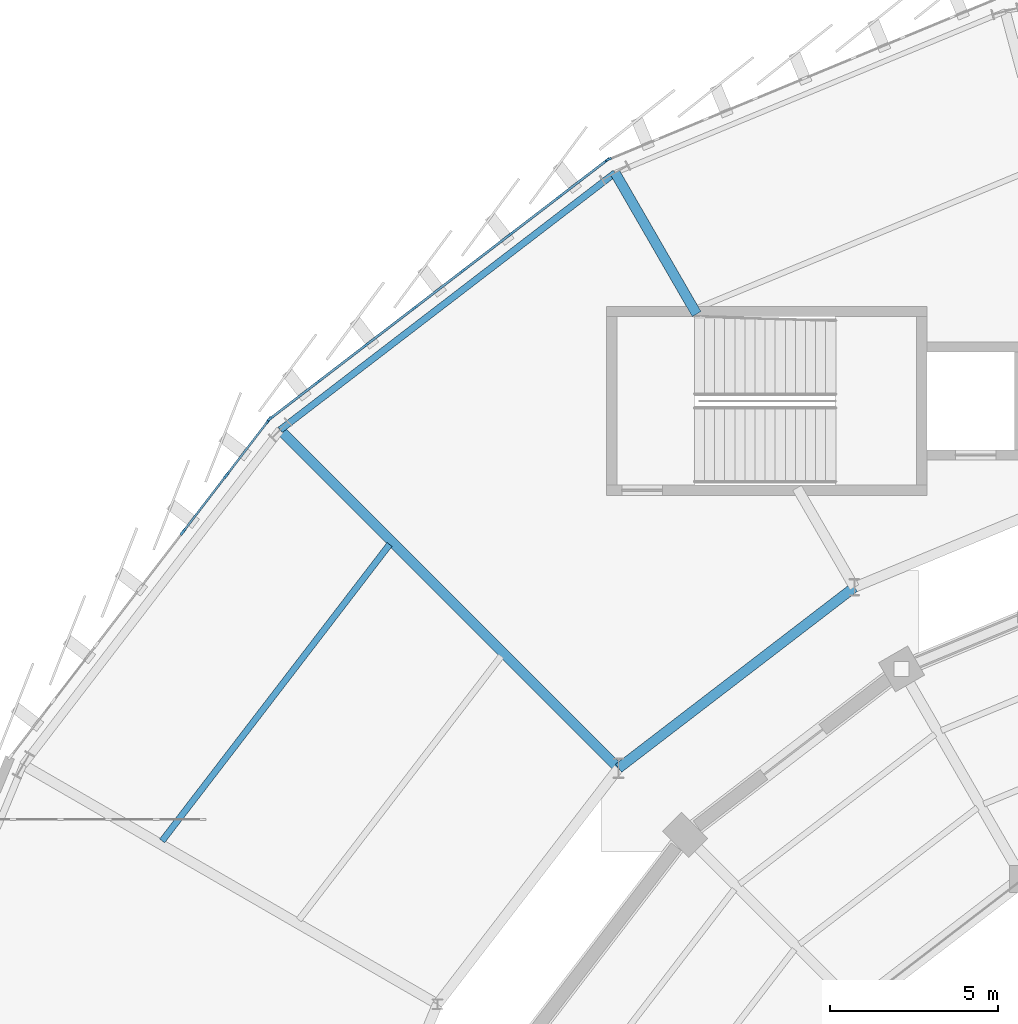
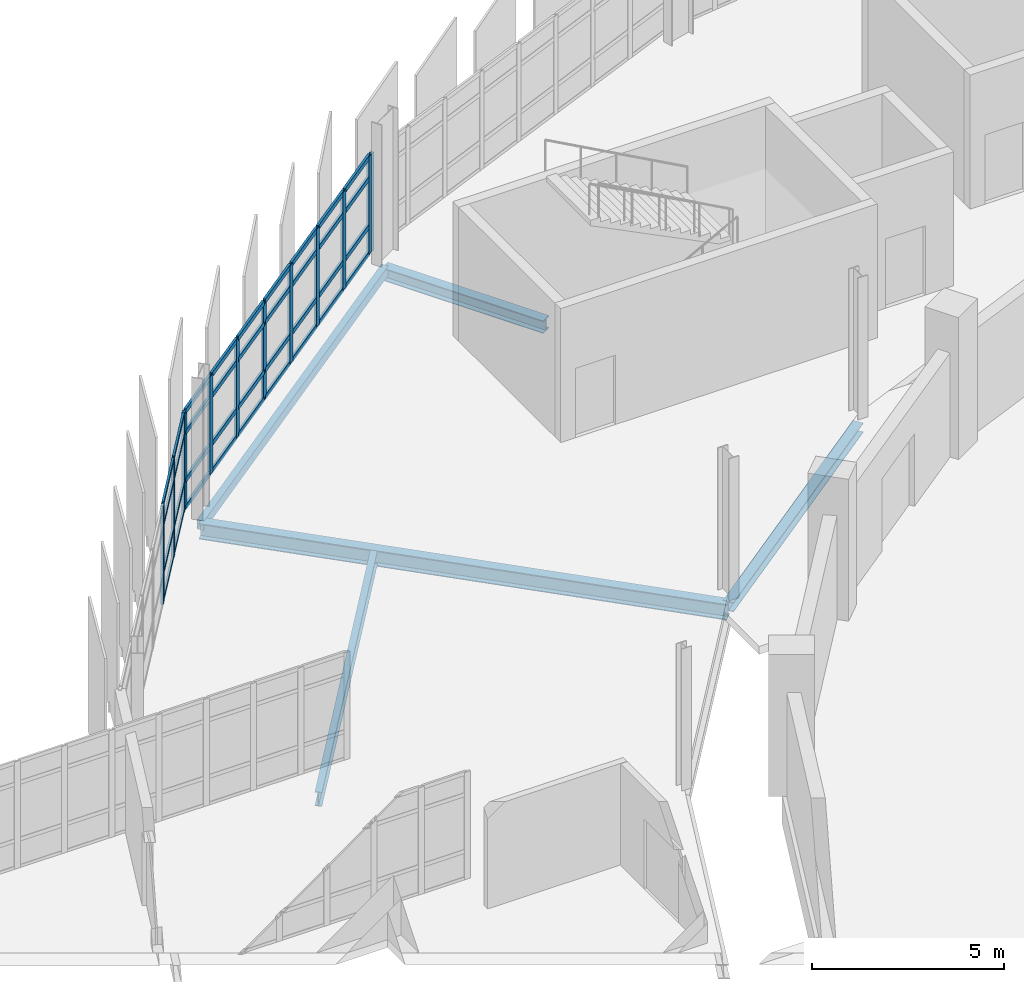
# One storey, part 54 of 125: 48 members, 5 beams, 3 elements without a shape of their own.
"""IFC4 building model written with IfcOpenShell, lengths in metres."""

from ifc_helpers import new_model, si_unit, direction, frame, origin, origin_2d, place, context, subcontext, project, spatial, rectangle, hollow_rectangle, i_section, extrude, material, layer, layer_set, material_profile, profile_set, type_object, element, aggregate, save


model = new_model("IFC4")

# Units and contexts
model_context = context("Model", 3, precision=1e-05, world=origin(), true_north=direction((0.0, 1.0)))
body_context = subcontext(model_context, "Body", "Model", "MODEL_VIEW")
ifc_project = project(units=[si_unit("LENGTHUNIT", "METRE"), si_unit("AREAUNIT", "SQUARE_METRE"), si_unit("VOLUMEUNIT", "CUBIC_METRE"), si_unit("PLANEANGLEUNIT", "RADIAN"), si_unit("MASSUNIT", "GRAM", prefix="KILO")], contexts=[model_context])

# Site, building, storey
site_placement = place(None, origin())
site = spatial("IfcSite", under=ifc_project, at=site_placement, CompositionType="ELEMENT")
building_placement = place(site_placement, origin())
building = spatial("IfcBuilding", under=site, at=building_placement, Name="Sohan Crest Arena", CompositionType="ELEMENT")
storey_placement = place(building_placement, frame((0.0, 0.0, 9.0)))
storey = spatial("IfcBuildingStorey", under=building, at=storey_placement, Name="L02", CompositionType="ELEMENT", Elevation=9.0)

# Curtain wall, member
ifc_material_1 = material(Name="Thermally broken anodised aluminium", Category="aluminium")
ifc_layer_1 = layer(ifc_material_1, 0.199951171875, Name="Thermally broken anodised aluminium")
ifc_layer_set_1 = layer_set([ifc_layer_1], Name="Thermally broken anodised aluminium")
curtain_wall_type_1 = type_object("IfcCurtainWallType", Name="ARC-CW02", PredefinedType="NOTDEFINED", material=ifc_layer_set_1)
curtain_wall_1_placement = place(storey_placement, origin())
curtain_wall_1 = element("IfcCurtainWall", 1, at=curtain_wall_1_placement, inside=storey, type_object=curtain_wall_type_1, Name="Unitised curtain wall CW-051", PredefinedType="NOTDEFINED")
ifc_material_profile_1 = material_profile(ifc_material_1, rectangle(XDim=0.06494140625, YDim=0.179931640625, at=origin_2d()), Name="ALU-MULL 65x180")
ifc_profile_set_1 = profile_set([ifc_material_profile_1], Name="Thermally broken anodised aluminium")
member_type_1 = type_object("IfcMemberType", Name="ARC-CW-ML02", PredefinedType="MULLION", material=ifc_profile_set_1)
member_1_placement = place(storey_placement, frame((73.804931640625, 119.971435546875, 0.0), z_axis=(0.0, 0.0, 1.0), x_axis=(0.382677663845, -0.92388192189, 0.0)))
member_1 = element("IfcMember", 2, at=member_1_placement, type_object=member_type_1, Name="CW-051 mullion 9", PredefinedType="MULLION", context=body_context, shape_type="SweptSolid", body=[
    extrude(rectangle(XDim=0.06494140625, YDim=0.179931640625, at=origin_2d()), origin(), (0.0, 0.0, 1.0), 3.1201171875),
])
aggregate(curtain_wall_1, [member_1])

# Curtain wall, members
ifc_layer_2 = layer(ifc_material_1, 0.219970703125, Name="Thermally broken anodised aluminium")
ifc_layer_set_2 = layer_set([ifc_layer_2], Name="Thermally broken anodised aluminium")
curtain_wall_type_2 = type_object("IfcCurtainWallType", Name="ARC-CW03", PredefinedType="NOTDEFINED", material=ifc_layer_set_2)
curtain_wall_2_placement = place(storey_placement, origin())
curtain_wall_2 = element("IfcCurtainWall", 3, at=curtain_wall_2_placement, inside=storey, type_object=curtain_wall_type_2, Name="Unitised curtain wall CW-052", PredefinedType="NOTDEFINED")
ifc_material_profile_2 = material_profile(ifc_material_1, rectangle(XDim=0.070068359375, YDim=0.199951171875, at=origin_2d()), Name="ALU-MULL 70x200")
ifc_profile_set_2 = profile_set([ifc_material_profile_2], Name="Thermally broken anodised aluminium")
member_type_2 = type_object("IfcMemberType", Name="ARC-CW-ML03", PredefinedType="MULLION", material=ifc_profile_set_2)
member_2_placement = place(storey_placement, frame((73.747314453125, 119.937744140625, 0.0), z_axis=(0.0, 0.0, 1.0), x_axis=(0.60879332716, -0.79332886296, 0.0)))
member_2 = element("IfcMember", 4, at=member_2_placement, type_object=member_type_2, Name="CW-052 mullion 1", PredefinedType="MULLION", context=body_context, shape_type="SweptSolid", body=[
    extrude(rectangle(XDim=0.070068359375, YDim=0.199951171875, at=origin_2d()), origin(), (0.0, 0.0, 1.0), 3.1201171875),
])
member_3_placement = place(storey_placement, frame((72.341552734375, 118.85888671875, 0.0), z_axis=(0.0, 0.0, 1.0), x_axis=(0.60879332716, -0.79332886296, 0.0)))
member_3 = element("IfcMember", 5, at=member_3_placement, type_object=member_type_2, Name="CW-052 mullion 2", PredefinedType="MULLION", context=body_context, shape_type="SweptSolid", body=[
    extrude(rectangle(XDim=0.070068359375, YDim=0.199951171875, at=origin_2d()), origin(), (0.0, 0.0, 1.0), 3.1201171875),
])
member_4_placement = place(storey_placement, frame((70.908203125, 117.759033203125, 0.0), z_axis=(0.0, 0.0, 1.0), x_axis=(0.60879332716, -0.79332886296, 0.0)))
member_4 = element("IfcMember", 6, at=member_4_placement, type_object=member_type_2, Name="CW-052 mullion 3", PredefinedType="MULLION", context=body_context, shape_type="SweptSolid", body=[
    extrude(rectangle(XDim=0.070068359375, YDim=0.199951171875, at=origin_2d()), origin(), (0.0, 0.0, 1.0), 3.1201171875),
])
member_5_placement = place(storey_placement, frame((69.474609375, 116.658935546875, 0.0), z_axis=(0.0, 0.0, 1.0), x_axis=(0.60879332716, -0.79332886296, 0.0)))
member_5 = element("IfcMember", 7, at=member_5_placement, type_object=member_type_2, Name="CW-052 mullion 4", PredefinedType="MULLION", context=body_context, shape_type="SweptSolid", body=[
    extrude(rectangle(XDim=0.070068359375, YDim=0.199951171875, at=origin_2d()), origin(), (0.0, 0.0, 1.0), 3.1201171875),
])
member_6_placement = place(storey_placement, frame((68.041259765625, 115.55908203125, 0.0), z_axis=(0.0, 0.0, 1.0), x_axis=(0.60879332716, -0.79332886296, 0.0)))
member_6 = element("IfcMember", 8, at=member_6_placement, type_object=member_type_2, Name="CW-052 mullion 5", PredefinedType="MULLION", context=body_context, shape_type="SweptSolid", body=[
    extrude(rectangle(XDim=0.070068359375, YDim=0.199951171875, at=origin_2d()), origin(), (0.0, 0.0, 1.0), 3.1201171875),
])
member_7_placement = place(storey_placement, frame((66.60791015625, 114.458984375, 0.0), z_axis=(0.0, 0.0, 1.0), x_axis=(0.60879332716, -0.79332886296, 0.0)))
member_7 = element("IfcMember", 9, at=member_7_placement, type_object=member_type_2, Name="CW-052 mullion 6", PredefinedType="MULLION", context=body_context, shape_type="SweptSolid", body=[
    extrude(rectangle(XDim=0.070068359375, YDim=0.199951171875, at=origin_2d()), origin(), (0.0, 0.0, 1.0), 3.1201171875),
])
member_8_placement = place(storey_placement, frame((65.17431640625, 113.35888671875, 0.0), z_axis=(0.0, 0.0, 1.0), x_axis=(0.60879332716, -0.79332886296, 0.0)))
member_8 = element("IfcMember", 10, at=member_8_placement, type_object=member_type_2, Name="CW-052 mullion 7", PredefinedType="MULLION", context=body_context, shape_type="SweptSolid", body=[
    extrude(rectangle(XDim=0.070068359375, YDim=0.199951171875, at=origin_2d()), origin(), (0.0, 0.0, 1.0), 3.1201171875),
])
member_9_placement = place(storey_placement, frame((63.768798828125, 112.2802734375, 0.0), z_axis=(0.0, 0.0, 1.0), x_axis=(0.60879332716, -0.79332886296, 0.0)))
member_9 = element("IfcMember", 11, at=member_9_placement, type_object=member_type_2, Name="CW-052 mullion 8", PredefinedType="MULLION", context=body_context, shape_type="SweptSolid", body=[
    extrude(rectangle(XDim=0.070068359375, YDim=0.199951171875, at=origin_2d()), origin(), (0.0, 0.0, 1.0), 3.1201171875),
])

ifc_layer_3 = layer(ifc_material_1, 0.239990234375, Name="Thermally broken anodised aluminium")
ifc_layer_set_3 = layer_set([ifc_layer_3], Name="Thermally broken anodised aluminium")
curtain_wall_type_3 = type_object("IfcCurtainWallType", Name="ARC-CW04", PredefinedType="NOTDEFINED", material=ifc_layer_set_3)
curtain_wall_3_placement = place(storey_placement, origin())
curtain_wall_3 = element("IfcCurtainWall", 12, at=curtain_wall_3_placement, inside=storey, type_object=curtain_wall_type_3, Name="Unitised curtain wall CW-053", PredefinedType="NOTDEFINED")
ifc_material_profile_3 = material_profile(ifc_material_1, rectangle(XDim=0.074951171875, YDim=0.219970703125, at=origin_2d()), Name="ALU-MULL 75x220")
ifc_profile_set_3 = profile_set([ifc_material_profile_3], Name="Thermally broken anodised aluminium")
member_type_3 = type_object("IfcMemberType", Name="ARC-CW-ML04", PredefinedType="MULLION", material=ifc_profile_set_3)
member_10_placement = place(storey_placement, frame((63.71826171875, 112.229248046875, 0.0), z_axis=(0.0, 0.0, 1.0), x_axis=(0.79332886296, -0.60879332716, 0.0)))
member_10 = element("IfcMember", 13, at=member_10_placement, type_object=member_type_3, Name="CW-053 mullion 1", PredefinedType="MULLION", context=body_context, shape_type="SweptSolid", body=[
    extrude(rectangle(XDim=0.074951171875, YDim=0.219970703125, at=origin_2d()), origin(), (0.0, 0.0, 1.0), 3.1201171875),
])
member_11_placement = place(storey_placement, frame((62.457763671875, 110.586669921875, 0.0), z_axis=(0.0, 0.0, 1.0), x_axis=(0.79332886296, -0.60879332716, 0.0)))
member_11 = element("IfcMember", 14, at=member_11_placement, type_object=member_type_3, Name="CW-053 mullion 2", PredefinedType="MULLION", context=body_context, shape_type="SweptSolid", body=[
    extrude(rectangle(XDim=0.074951171875, YDim=0.219970703125, at=origin_2d()), origin(), (0.0, 0.0, 1.0), 3.1201171875),
])
member_12_placement = place(storey_placement, frame((61.17431640625, 108.914306640625, 0.0), z_axis=(0.0, 0.0, 1.0), x_axis=(0.79332886296, -0.60879332716, 0.0)))
member_12 = element("IfcMember", 15, at=member_12_placement, type_object=member_type_3, Name="CW-053 mullion 3", PredefinedType="MULLION", context=body_context, shape_type="SweptSolid", body=[
    extrude(rectangle(XDim=0.074951171875, YDim=0.219970703125, at=origin_2d()), origin(), (0.0, 0.0, 1.0), 3.1201171875),
])
ifc_material_profile_4 = material_profile(ifc_material_1, rectangle(XDim=0.06005859375, YDim=0.1201171875, at=origin_2d()), Name="ALU-TRAN 60x120")
ifc_profile_set_4 = profile_set([ifc_material_profile_4], Name="Thermally broken anodised aluminium")
member_type_4 = type_object("IfcMemberType", Name="ARC-CW-TR01", PredefinedType="USERDEFINED", material=ifc_profile_set_4)
member_13_placement = place(storey_placement, frame((63.6953125, 112.199462890625, 0.030029296875), z_axis=(-0.608811622374, -0.793314823045, 0.0), x_axis=(0.793314823045, -0.608811622374, 0.0)))
member_13 = element("IfcMember", 16, at=member_13_placement, type_object=member_type_4, Name="CW-053 transom 1.1", ObjectType="TRANSOM", PredefinedType="USERDEFINED", context=body_context, shape_type="SweptSolid", body=[
    extrude(rectangle(XDim=0.06005859375, YDim=0.1201171875, at=origin_2d()), origin(), (0.0, 0.0, 1.0), 1.995361328125),
])
member_14_placement = place(storey_placement, frame((63.6953125, 112.199462890625, 0.89990234375), z_axis=(-0.608811622374, -0.793314823045, 0.0), x_axis=(0.793314823045, -0.608811622374, 0.0)))
member_14 = element("IfcMember", 17, at=member_14_placement, type_object=member_type_4, Name="CW-053 transom 1.2", ObjectType="TRANSOM", PredefinedType="USERDEFINED", context=body_context, shape_type="SweptSolid", body=[
    extrude(rectangle(XDim=0.06005859375, YDim=0.1201171875, at=origin_2d()), origin(), (0.0, 0.0, 1.0), 1.995361328125),
])
member_15_placement = place(storey_placement, frame((63.6953125, 112.199462890625, 2.419921875), z_axis=(-0.608811622374, -0.793314823045, 0.0), x_axis=(0.793314823045, -0.608811622374, 0.0)))
member_15 = element("IfcMember", 18, at=member_15_placement, type_object=member_type_4, Name="CW-053 transom 1.3", ObjectType="TRANSOM", PredefinedType="USERDEFINED", context=body_context, shape_type="SweptSolid", body=[
    extrude(rectangle(XDim=0.06005859375, YDim=0.1201171875, at=origin_2d()), origin(), (0.0, 0.0, 1.0), 1.995361328125),
])
member_16_placement = place(storey_placement, frame((63.6953125, 112.199462890625, 3.090087890625), z_axis=(-0.608811622374, -0.793314823045, 0.0), x_axis=(0.793314823045, -0.608811622374, 0.0)))
member_16 = element("IfcMember", 19, at=member_16_placement, type_object=member_type_4, Name="CW-053 transom 1.4", ObjectType="TRANSOM", PredefinedType="USERDEFINED", context=body_context, shape_type="SweptSolid", body=[
    extrude(rectangle(XDim=0.06005859375, YDim=0.1201171875, at=origin_2d()), origin(), (0.0, 0.0, 1.0), 1.995361328125),
])
member_17_placement = place(storey_placement, frame((62.434814453125, 110.556884765625, 0.030029296875), z_axis=(-0.608764295154, -0.793351141012, 0.0), x_axis=(0.793351141012, -0.608764295154, 0.0)))
member_17 = element("IfcMember", 20, at=member_17_placement, type_object=member_type_4, Name="CW-053 transom 2.1", ObjectType="TRANSOM", PredefinedType="USERDEFINED", context=body_context, shape_type="SweptSolid", body=[
    extrude(rectangle(XDim=0.06005859375, YDim=0.1201171875, at=origin_2d()), origin(), (0.0, 0.0, 1.0), 2.032958984375),
])
member_18_placement = place(storey_placement, frame((62.434814453125, 110.556884765625, 0.89990234375), z_axis=(-0.608764295154, -0.793351141012, 0.0), x_axis=(0.793351141012, -0.608764295154, 0.0)))
member_18 = element("IfcMember", 21, at=member_18_placement, type_object=member_type_4, Name="CW-053 transom 2.2", ObjectType="TRANSOM", PredefinedType="USERDEFINED", context=body_context, shape_type="SweptSolid", body=[
    extrude(rectangle(XDim=0.06005859375, YDim=0.1201171875, at=origin_2d()), origin(), (0.0, 0.0, 1.0), 2.032958984375),
])
member_19_placement = place(storey_placement, frame((62.434814453125, 110.556884765625, 2.419921875), z_axis=(-0.608764295154, -0.793351141012, 0.0), x_axis=(0.793351141012, -0.608764295154, 0.0)))
member_19 = element("IfcMember", 22, at=member_19_placement, type_object=member_type_4, Name="CW-053 transom 2.3", ObjectType="TRANSOM", PredefinedType="USERDEFINED", context=body_context, shape_type="SweptSolid", body=[
    extrude(rectangle(XDim=0.06005859375, YDim=0.1201171875, at=origin_2d()), origin(), (0.0, 0.0, 1.0), 2.032958984375),
])
member_20_placement = place(storey_placement, frame((62.434814453125, 110.556884765625, 3.090087890625), z_axis=(-0.608764295154, -0.793351141012, 0.0), x_axis=(0.793351141012, -0.608764295154, 0.0)))
member_20 = element("IfcMember", 23, at=member_20_placement, type_object=member_type_4, Name="CW-053 transom 2.4", ObjectType="TRANSOM", PredefinedType="USERDEFINED", context=body_context, shape_type="SweptSolid", body=[
    extrude(rectangle(XDim=0.06005859375, YDim=0.1201171875, at=origin_2d()), origin(), (0.0, 0.0, 1.0), 2.032958984375),
])
aggregate(curtain_wall_3, [member_10, member_11, member_12, member_13, member_14, member_15, member_16, member_17, member_18, member_19, member_20])

# Member
ifc_material_profile_5 = material_profile(ifc_material_1, rectangle(XDim=0.070068359375, YDim=0.14990234375, at=origin_2d()), Name="ALU-TRAN 70x150")
ifc_profile_set_5 = profile_set([ifc_material_profile_5], Name="Thermally broken anodised aluminium")
member_type_5 = type_object("IfcMemberType", Name="ARC-CW-TR03", PredefinedType="USERDEFINED", material=ifc_profile_set_5)
member_21_placement = place(storey_placement, frame((73.719482421875, 119.91650390625, 0.034912109375), z_axis=(-0.793306103469, -0.60882298429, 0.0), x_axis=(0.60882298429, -0.793306103469, 0.0)))
member_21 = element("IfcMember", 24, at=member_21_placement, type_object=member_type_5, Name="CW-052 transom 1.1", ObjectType="TRANSOM", PredefinedType="USERDEFINED", context=body_context, shape_type="SweptSolid", body=[
    extrude(rectangle(XDim=0.070068359375, YDim=0.14990234375, at=origin_2d()), origin(), (0.0, 0.0, 1.0), 1.701904296875),
])

member_22_placement = place(storey_placement, frame((73.719482421875, 119.91650390625, 0.89990234375), z_axis=(-0.793306103469, -0.60882298429, 0.0), x_axis=(0.60882298429, -0.793306103469, 0.0)))
member_22 = element("IfcMember", 25, at=member_22_placement, type_object=member_type_5, Name="CW-052 transom 1.2", ObjectType="TRANSOM", PredefinedType="USERDEFINED", context=body_context, shape_type="SweptSolid", body=[
    extrude(rectangle(XDim=0.070068359375, YDim=0.14990234375, at=origin_2d()), origin(), (0.0, 0.0, 1.0), 1.701904296875),
])

member_23_placement = place(storey_placement, frame((73.719482421875, 119.91650390625, 2.419921875), z_axis=(-0.793306103469, -0.60882298429, 0.0), x_axis=(0.60882298429, -0.793306103469, 0.0)))
member_23 = element("IfcMember", 26, at=member_23_placement, type_object=member_type_5, Name="CW-052 transom 1.3", ObjectType="TRANSOM", PredefinedType="USERDEFINED", context=body_context, shape_type="SweptSolid", body=[
    extrude(rectangle(XDim=0.070068359375, YDim=0.14990234375, at=origin_2d()), origin(), (0.0, 0.0, 1.0), 1.701904296875),
])

member_24_placement = place(storey_placement, frame((73.719482421875, 119.91650390625, 3.0849609375), z_axis=(-0.793306103469, -0.60882298429, 0.0), x_axis=(0.60882298429, -0.793306103469, 0.0)))
member_24 = element("IfcMember", 27, at=member_24_placement, type_object=member_type_5, Name="CW-052 transom 1.4", ObjectType="TRANSOM", PredefinedType="USERDEFINED", context=body_context, shape_type="SweptSolid", body=[
    extrude(rectangle(XDim=0.070068359375, YDim=0.14990234375, at=origin_2d()), origin(), (0.0, 0.0, 1.0), 1.701904296875),
])

member_25_placement = place(storey_placement, frame((72.313720703125, 118.837646484375, 0.034912109375), z_axis=(-0.793339322811, -0.608779696509, 0.0), x_axis=(0.608779696509, -0.793339322811, 0.0)))
member_25 = element("IfcMember", 28, at=member_25_placement, type_object=member_type_5, Name="CW-052 transom 2.1", ObjectType="TRANSOM", PredefinedType="USERDEFINED", context=body_context, shape_type="SweptSolid", body=[
    extrude(rectangle(XDim=0.070068359375, YDim=0.14990234375, at=origin_2d()), origin(), (0.0, 0.0, 1.0), 1.73681640625),
])

member_26_placement = place(storey_placement, frame((72.313720703125, 118.837646484375, 0.89990234375), z_axis=(-0.793339322811, -0.608779696509, 0.0), x_axis=(0.608779696509, -0.793339322811, 0.0)))
member_26 = element("IfcMember", 29, at=member_26_placement, type_object=member_type_5, Name="CW-052 transom 2.2", ObjectType="TRANSOM", PredefinedType="USERDEFINED", context=body_context, shape_type="SweptSolid", body=[
    extrude(rectangle(XDim=0.070068359375, YDim=0.14990234375, at=origin_2d()), origin(), (0.0, 0.0, 1.0), 1.73681640625),
])

member_27_placement = place(storey_placement, frame((72.313720703125, 118.837646484375, 2.419921875), z_axis=(-0.793339322811, -0.608779696509, 0.0), x_axis=(0.608779696509, -0.793339322811, 0.0)))
member_27 = element("IfcMember", 30, at=member_27_placement, type_object=member_type_5, Name="CW-052 transom 2.3", ObjectType="TRANSOM", PredefinedType="USERDEFINED", context=body_context, shape_type="SweptSolid", body=[
    extrude(rectangle(XDim=0.070068359375, YDim=0.14990234375, at=origin_2d()), origin(), (0.0, 0.0, 1.0), 1.73681640625),
])

member_28_placement = place(storey_placement, frame((72.313720703125, 118.837646484375, 3.0849609375), z_axis=(-0.793339322811, -0.608779696509, 0.0), x_axis=(0.608779696509, -0.793339322811, 0.0)))
member_28 = element("IfcMember", 31, at=member_28_placement, type_object=member_type_5, Name="CW-052 transom 2.4", ObjectType="TRANSOM", PredefinedType="USERDEFINED", context=body_context, shape_type="SweptSolid", body=[
    extrude(rectangle(XDim=0.070068359375, YDim=0.14990234375, at=origin_2d()), origin(), (0.0, 0.0, 1.0), 1.73681640625),
])

member_29_placement = place(storey_placement, frame((70.88037109375, 117.73779296875, 0.034912109375), z_axis=(-0.793339322811, -0.608779696509, 0.0), x_axis=(0.608779696509, -0.793339322811, 0.0)))
member_29 = element("IfcMember", 32, at=member_29_placement, type_object=member_type_5, Name="CW-052 transom 3.1", ObjectType="TRANSOM", PredefinedType="USERDEFINED", context=body_context, shape_type="SweptSolid", body=[
    extrude(rectangle(XDim=0.070068359375, YDim=0.14990234375, at=origin_2d()), origin(), (0.0, 0.0, 1.0), 1.73681640625),
])

member_30_placement = place(storey_placement, frame((70.88037109375, 117.73779296875, 0.89990234375), z_axis=(-0.793339322811, -0.608779696509, 0.0), x_axis=(0.608779696509, -0.793339322811, 0.0)))
member_30 = element("IfcMember", 33, at=member_30_placement, type_object=member_type_5, Name="CW-052 transom 3.2", ObjectType="TRANSOM", PredefinedType="USERDEFINED", context=body_context, shape_type="SweptSolid", body=[
    extrude(rectangle(XDim=0.070068359375, YDim=0.14990234375, at=origin_2d()), origin(), (0.0, 0.0, 1.0), 1.73681640625),
])

member_31_placement = place(storey_placement, frame((70.88037109375, 117.73779296875, 2.419921875), z_axis=(-0.793339322811, -0.608779696509, 0.0), x_axis=(0.608779696509, -0.793339322811, 0.0)))
member_31 = element("IfcMember", 34, at=member_31_placement, type_object=member_type_5, Name="CW-052 transom 3.3", ObjectType="TRANSOM", PredefinedType="USERDEFINED", context=body_context, shape_type="SweptSolid", body=[
    extrude(rectangle(XDim=0.070068359375, YDim=0.14990234375, at=origin_2d()), origin(), (0.0, 0.0, 1.0), 1.73681640625),
])

member_32_placement = place(storey_placement, frame((70.88037109375, 117.73779296875, 3.0849609375), z_axis=(-0.793339322811, -0.608779696509, 0.0), x_axis=(0.608779696509, -0.793339322811, 0.0)))
member_32 = element("IfcMember", 35, at=member_32_placement, type_object=member_type_5, Name="CW-052 transom 3.4", ObjectType="TRANSOM", PredefinedType="USERDEFINED", context=body_context, shape_type="SweptSolid", body=[
    extrude(rectangle(XDim=0.070068359375, YDim=0.14990234375, at=origin_2d()), origin(), (0.0, 0.0, 1.0), 1.73681640625),
])

member_33_placement = place(storey_placement, frame((69.447021484375, 116.6376953125, 0.034912109375), z_axis=(-0.793339322811, -0.608779696509, 0.0), x_axis=(0.608779696509, -0.793339322811, 0.0)))
member_33 = element("IfcMember", 36, at=member_33_placement, type_object=member_type_5, Name="CW-052 transom 4.1", ObjectType="TRANSOM", PredefinedType="USERDEFINED", context=body_context, shape_type="SweptSolid", body=[
    extrude(rectangle(XDim=0.070068359375, YDim=0.14990234375, at=origin_2d()), origin(), (0.0, 0.0, 1.0), 1.73681640625),
])

member_34_placement = place(storey_placement, frame((69.447021484375, 116.6376953125, 0.89990234375), z_axis=(-0.793339322811, -0.608779696509, 0.0), x_axis=(0.608779696509, -0.793339322811, 0.0)))
member_34 = element("IfcMember", 37, at=member_34_placement, type_object=member_type_5, Name="CW-052 transom 4.2", ObjectType="TRANSOM", PredefinedType="USERDEFINED", context=body_context, shape_type="SweptSolid", body=[
    extrude(rectangle(XDim=0.070068359375, YDim=0.14990234375, at=origin_2d()), origin(), (0.0, 0.0, 1.0), 1.73681640625),
])

member_35_placement = place(storey_placement, frame((69.447021484375, 116.6376953125, 2.419921875), z_axis=(-0.793339322811, -0.608779696509, 0.0), x_axis=(0.608779696509, -0.793339322811, 0.0)))
member_35 = element("IfcMember", 38, at=member_35_placement, type_object=member_type_5, Name="CW-052 transom 4.3", ObjectType="TRANSOM", PredefinedType="USERDEFINED", context=body_context, shape_type="SweptSolid", body=[
    extrude(rectangle(XDim=0.070068359375, YDim=0.14990234375, at=origin_2d()), origin(), (0.0, 0.0, 1.0), 1.73681640625),
])

member_36_placement = place(storey_placement, frame((69.447021484375, 116.6376953125, 3.0849609375), z_axis=(-0.793339322811, -0.608779696509, 0.0), x_axis=(0.608779696509, -0.793339322811, 0.0)))
member_36 = element("IfcMember", 39, at=member_36_placement, type_object=member_type_5, Name="CW-052 transom 4.4", ObjectType="TRANSOM", PredefinedType="USERDEFINED", context=body_context, shape_type="SweptSolid", body=[
    extrude(rectangle(XDim=0.070068359375, YDim=0.14990234375, at=origin_2d()), origin(), (0.0, 0.0, 1.0), 1.73681640625),
])

member_37_placement = place(storey_placement, frame((68.013427734375, 115.53759765625, 0.034912109375), z_axis=(-0.793287219546, -0.608847589554, 0.0), x_axis=(0.608847589554, -0.793287219546, 0.0)))
member_37 = element("IfcMember", 40, at=member_37_placement, type_object=member_type_5, Name="CW-052 transom 5.1", ObjectType="TRANSOM", PredefinedType="USERDEFINED", context=body_context, shape_type="SweptSolid", body=[
    extrude(rectangle(XDim=0.070068359375, YDim=0.14990234375, at=origin_2d()), origin(), (0.0, 0.0, 1.0), 1.736572265625),
])

member_38_placement = place(storey_placement, frame((68.013427734375, 115.53759765625, 0.89990234375), z_axis=(-0.793287219546, -0.608847589554, 0.0), x_axis=(0.608847589554, -0.793287219546, 0.0)))
member_38 = element("IfcMember", 41, at=member_38_placement, type_object=member_type_5, Name="CW-052 transom 5.2", ObjectType="TRANSOM", PredefinedType="USERDEFINED", context=body_context, shape_type="SweptSolid", body=[
    extrude(rectangle(XDim=0.070068359375, YDim=0.14990234375, at=origin_2d()), origin(), (0.0, 0.0, 1.0), 1.736572265625),
])

member_39_placement = place(storey_placement, frame((68.013427734375, 115.53759765625, 2.419921875), z_axis=(-0.793287219546, -0.608847589554, 0.0), x_axis=(0.608847589554, -0.793287219546, 0.0)))
member_39 = element("IfcMember", 42, at=member_39_placement, type_object=member_type_5, Name="CW-052 transom 5.3", ObjectType="TRANSOM", PredefinedType="USERDEFINED", context=body_context, shape_type="SweptSolid", body=[
    extrude(rectangle(XDim=0.070068359375, YDim=0.14990234375, at=origin_2d()), origin(), (0.0, 0.0, 1.0), 1.736572265625),
])

member_40_placement = place(storey_placement, frame((68.013427734375, 115.53759765625, 3.0849609375), z_axis=(-0.793287219546, -0.608847589554, 0.0), x_axis=(0.608847589554, -0.793287219546, 0.0)))
member_40 = element("IfcMember", 43, at=member_40_placement, type_object=member_type_5, Name="CW-052 transom 5.4", ObjectType="TRANSOM", PredefinedType="USERDEFINED", context=body_context, shape_type="SweptSolid", body=[
    extrude(rectangle(XDim=0.070068359375, YDim=0.14990234375, at=origin_2d()), origin(), (0.0, 0.0, 1.0), 1.736572265625),
])

member_41_placement = place(storey_placement, frame((66.580078125, 114.437744140625, 0.034912109375), z_axis=(-0.793339322811, -0.608779696509, 0.0), x_axis=(0.608779696509, -0.793339322811, 0.0)))
member_41 = element("IfcMember", 44, at=member_41_placement, type_object=member_type_5, Name="CW-052 transom 6.1", ObjectType="TRANSOM", PredefinedType="USERDEFINED", context=body_context, shape_type="SweptSolid", body=[
    extrude(rectangle(XDim=0.070068359375, YDim=0.14990234375, at=origin_2d()), origin(), (0.0, 0.0, 1.0), 1.73681640625),
])

member_42_placement = place(storey_placement, frame((66.580078125, 114.437744140625, 0.89990234375), z_axis=(-0.793339322811, -0.608779696509, 0.0), x_axis=(0.608779696509, -0.793339322811, 0.0)))
member_42 = element("IfcMember", 45, at=member_42_placement, type_object=member_type_5, Name="CW-052 transom 6.2", ObjectType="TRANSOM", PredefinedType="USERDEFINED", context=body_context, shape_type="SweptSolid", body=[
    extrude(rectangle(XDim=0.070068359375, YDim=0.14990234375, at=origin_2d()), origin(), (0.0, 0.0, 1.0), 1.73681640625),
])

member_43_placement = place(storey_placement, frame((66.580078125, 114.437744140625, 2.419921875), z_axis=(-0.793339322811, -0.608779696509, 0.0), x_axis=(0.608779696509, -0.793339322811, 0.0)))
member_43 = element("IfcMember", 46, at=member_43_placement, type_object=member_type_5, Name="CW-052 transom 6.3", ObjectType="TRANSOM", PredefinedType="USERDEFINED", context=body_context, shape_type="SweptSolid", body=[
    extrude(rectangle(XDim=0.070068359375, YDim=0.14990234375, at=origin_2d()), origin(), (0.0, 0.0, 1.0), 1.73681640625),
])

member_44_placement = place(storey_placement, frame((66.580078125, 114.437744140625, 3.0849609375), z_axis=(-0.793339322811, -0.608779696509, 0.0), x_axis=(0.608779696509, -0.793339322811, 0.0)))
member_44 = element("IfcMember", 47, at=member_44_placement, type_object=member_type_5, Name="CW-052 transom 6.4", ObjectType="TRANSOM", PredefinedType="USERDEFINED", context=body_context, shape_type="SweptSolid", body=[
    extrude(rectangle(XDim=0.070068359375, YDim=0.14990234375, at=origin_2d()), origin(), (0.0, 0.0, 1.0), 1.73681640625),
])

member_45_placement = place(storey_placement, frame((65.146728515625, 113.337646484375, 0.034912109375), z_axis=(-0.793306103469, -0.60882298429, 0.0), x_axis=(0.60882298429, -0.793306103469, 0.0)))
member_45 = element("IfcMember", 48, at=member_45_placement, type_object=member_type_5, Name="CW-052 transom 7.1", ObjectType="TRANSOM", PredefinedType="USERDEFINED", context=body_context, shape_type="SweptSolid", body=[
    extrude(rectangle(XDim=0.070068359375, YDim=0.14990234375, at=origin_2d()), origin(), (0.0, 0.0, 1.0), 1.701904296875),
])

member_46_placement = place(storey_placement, frame((65.146728515625, 113.337646484375, 0.89990234375), z_axis=(-0.793306103469, -0.60882298429, 0.0), x_axis=(0.60882298429, -0.793306103469, 0.0)))
member_46 = element("IfcMember", 49, at=member_46_placement, type_object=member_type_5, Name="CW-052 transom 7.2", ObjectType="TRANSOM", PredefinedType="USERDEFINED", context=body_context, shape_type="SweptSolid", body=[
    extrude(rectangle(XDim=0.070068359375, YDim=0.14990234375, at=origin_2d()), origin(), (0.0, 0.0, 1.0), 1.701904296875),
])

member_47_placement = place(storey_placement, frame((65.146728515625, 113.337646484375, 2.419921875), z_axis=(-0.793306103469, -0.60882298429, 0.0), x_axis=(0.60882298429, -0.793306103469, 0.0)))
member_47 = element("IfcMember", 50, at=member_47_placement, type_object=member_type_5, Name="CW-052 transom 7.3", ObjectType="TRANSOM", PredefinedType="USERDEFINED", context=body_context, shape_type="SweptSolid", body=[
    extrude(rectangle(XDim=0.070068359375, YDim=0.14990234375, at=origin_2d()), origin(), (0.0, 0.0, 1.0), 1.701904296875),
])

member_48_placement = place(storey_placement, frame((65.146728515625, 113.337646484375, 3.0849609375), z_axis=(-0.793306103469, -0.60882298429, 0.0), x_axis=(0.60882298429, -0.793306103469, 0.0)))
member_48 = element("IfcMember", 51, at=member_48_placement, type_object=member_type_5, Name="CW-052 transom 7.4", ObjectType="TRANSOM", PredefinedType="USERDEFINED", context=body_context, shape_type="SweptSolid", body=[
    extrude(rectangle(XDim=0.070068359375, YDim=0.14990234375, at=origin_2d()), origin(), (0.0, 0.0, 1.0), 1.701904296875),
])

aggregate(curtain_wall_2, [member_2, member_3, member_4, member_5, member_6, member_7, member_8, member_9, member_21, member_22, member_23, member_24, member_25, member_26, member_27, member_28, member_29, member_30, member_31, member_32, member_33, member_34, member_35, member_36, member_37, member_38, member_39, member_40, member_41, member_42, member_43, member_44, member_45, member_46, member_47, member_48])

# Beams
ifc_material_2 = material(Name="Steel S355", Category="steel")
ifc_material_profile_6 = material_profile(ifc_material_2, i_section(OverallWidth=0.18994140625, OverallDepth=0.449951171875, WebThickness=0.009521484375, FlangeThickness=0.0146484375, at=origin_2d()), Name="IPE 450")
ifc_profile_set_6 = profile_set([ifc_material_profile_6], Name="Steel S355")
beam_type_1 = type_object("IfcBeamType", Name="STR-BM-B04", PredefinedType="JOIST", material=ifc_profile_set_6)
beam_1_placement = place(storey_placement, frame((67.305908203125, 108.5400390625, -0.47509765625), z_axis=(-0.608788813613, -0.793332326594, 0.0), x_axis=(0.793332326594, -0.608788813613, 0.0)))
element("IfcBeam", 52, at=beam_1_placement, inside=storey, type_object=beam_type_1, Name="Structural beam J-L02-1261", PredefinedType="JOIST", context=body_context, shape_type="SweptSolid", body=[
    extrude(i_section(OverallWidth=0.18994140625, OverallDepth=0.449951171875, WebThickness=0.009521484375, FlangeThickness=0.0146484375, at=origin_2d()), origin(), (0.0, 0.0, 1.0), 11.087646484375),
])
ifc_material_profile_7 = material_profile(ifc_material_2, i_section(OverallWidth=0.300048828125, OverallDepth=0.300048828125, WebThickness=0.010986328125, FlangeThickness=0.01904296875, at=origin_2d()), Name="HEB 300")
ifc_profile_set_7 = profile_set([ifc_material_profile_7], Name="Steel S355")
beam_type_2 = type_object("IfcBeamType", Name="STR-BM-B12", PredefinedType="BEAM", material=ifc_profile_set_7)
beam_2_placement = place(storey_placement, frame((81.10009765625, 107.27197265625, -0.39990234375), z_axis=(-0.793310569192, -0.608817165336, 0.0), x_axis=(0.608817165336, -0.793310569192, 0.0)))
element("IfcBeam", 53, at=beam_2_placement, inside=storey, type_object=beam_type_2, Name="Structural beam G-L02-1255", PredefinedType="BEAM", context=body_context, shape_type="SweptSolid", body=[
    extrude(i_section(OverallWidth=0.300048828125, OverallDepth=0.300048828125, WebThickness=0.010986328125, FlangeThickness=0.01904296875, at=origin_2d()), origin(), (0.0, 0.0, 1.0), 8.82373046875),
])
ifc_material_profile_8 = material_profile(ifc_material_2, i_section(OverallWidth=0.300048828125, OverallDepth=0.39990234375, WebThickness=0.013427734375, FlangeThickness=0.02392578125, at=origin_2d()), Name="HEB 400")
ifc_profile_set_8 = profile_set([ifc_material_profile_8], Name="Steel S355")
beam_type_3 = type_object("IfcBeamType", Name="STR-BM-B13", PredefinedType="BEAM", material=ifc_profile_set_8)
beam_3_placement = place(storey_placement, frame((76.4189453125, 115.3798828125, -0.449951171875), z_axis=(-0.500047190239, 0.865998156773, 0.0), x_axis=(-0.865998156773, -0.500047190239, 0.0)))
element("IfcBeam", 54, at=beam_3_placement, inside=storey, type_object=beam_type_3, Name="Structural beam G-L02-1254", PredefinedType="BEAM", context=body_context, shape_type="SweptSolid", body=[
    extrude(i_section(OverallWidth=0.300048828125, OverallDepth=0.39990234375, WebThickness=0.013427734375, FlangeThickness=0.02392578125, at=origin_2d()), origin(), (0.0, 0.0, 1.0), 4.83740234375),
])
ifc_material_profile_9 = material_profile(ifc_material_2, i_section(OverallWidth=0.300048828125, OverallDepth=0.5, WebThickness=0.014404296875, FlangeThickness=0.028076171875, at=origin_2d()), Name="HEB 500")
ifc_profile_set_9 = profile_set([ifc_material_profile_9], Name="Steel S355")
beam_type_4 = type_object("IfcBeamType", Name="STR-BM-B14", PredefinedType="BEAM", material=ifc_profile_set_9)
beam_4_placement = place(storey_placement, frame((74.10009765625, 101.89990234375, -0.5), z_axis=(-0.707106781187, 0.707106781187, 0.0), x_axis=(-0.707106781187, -0.707106781187, 0.0)))
element("IfcBeam", 55, at=beam_4_placement, inside=storey, type_object=beam_type_4, Name="Structural beam G-L02-1257", PredefinedType="BEAM", context=body_context, shape_type="SweptSolid", body=[
    extrude(i_section(OverallWidth=0.300048828125, OverallDepth=0.5, WebThickness=0.014404296875, FlangeThickness=0.028076171875, at=origin_2d()), origin(), (0.0, 0.0, 1.0), 14.2001953125),
])
ifc_material_profile_10 = material_profile(ifc_material_2, hollow_rectangle(XDim=0.199951171875, YDim=0.300048828125, WallThickness=0.010009765625, at=origin_2d()), Name="RHS 300x200x10")
ifc_profile_set_10 = profile_set([ifc_material_profile_10], Name="Steel S355")
beam_type_5 = type_object("IfcBeamType", Name="STR-BM-SP03", PredefinedType="SPANDREL", material=ifc_profile_set_10)
beam_5_placement = place(storey_placement, frame((74.0, 119.569091796875, -0.39990234375), z_axis=(-0.793344121205, -0.608773443368, 0.0), x_axis=(0.608773443368, -0.793344121205, 0.0)))
element("IfcBeam", 56, at=beam_5_placement, inside=storey, type_object=beam_type_5, Name="Structural beam SP-L02-1256", PredefinedType="SPANDREL", context=body_context, shape_type="SweptSolid", body=[
    extrude(hollow_rectangle(XDim=0.199951171875, YDim=0.300048828125, WallThickness=0.010009765625, at=origin_2d()), origin(), (0.0, 0.0, 1.0), 12.530517578125),
])

save(model, "model.ifc")
